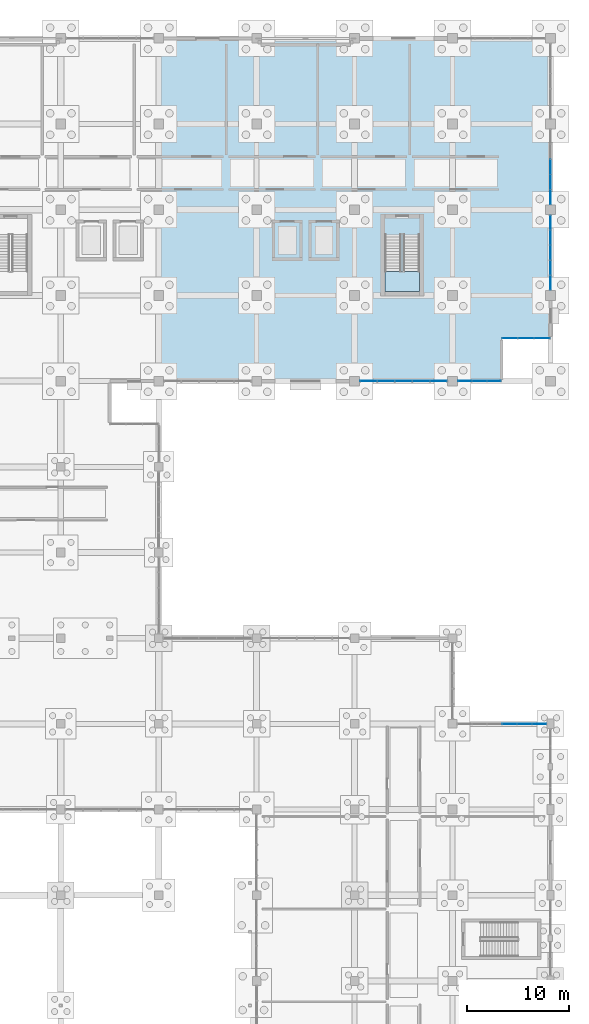
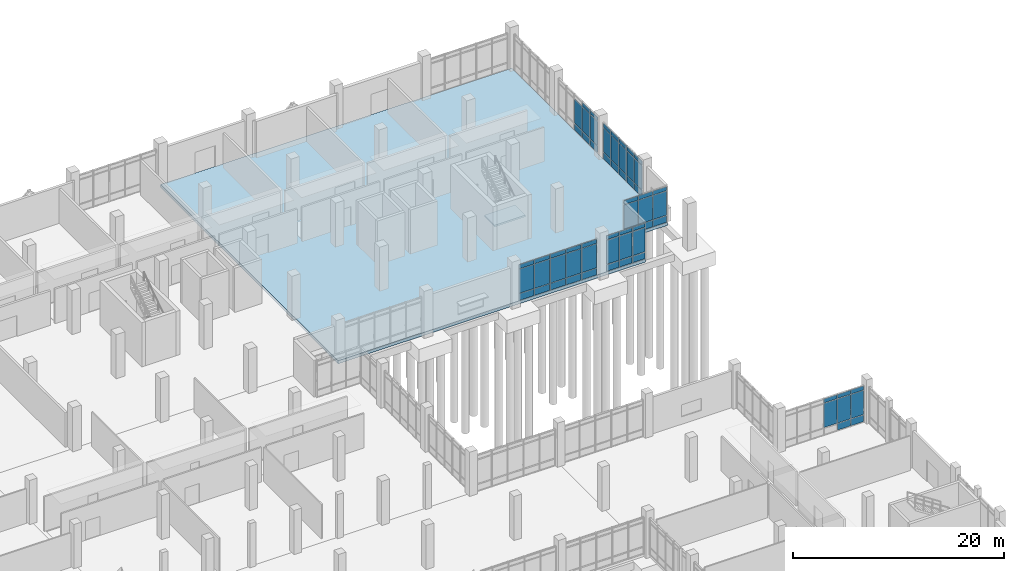
# One storey, part 89 of 136: 64 plates, 2 slabs, 7 elements without a shape of their own.
"""IFC4 building model written with IfcOpenShell, lengths in metres."""

from ifc_helpers import new_model, si_unit, direction, frame, origin, origin_2d, place, context, subcontext, project, spatial, polyline, rectangle, outline, extrude, material, layer, layer_set, type_object, element, aggregate, save


model = new_model("IFC4")

# Units and contexts
model_context = context("Model", 3, precision=1e-05, world=origin(), true_north=direction((0.0, 1.0)))
body_context = subcontext(model_context, "Body", "Model", "MODEL_VIEW")
ifc_project = project(units=[si_unit("LENGTHUNIT", "METRE"), si_unit("AREAUNIT", "SQUARE_METRE"), si_unit("VOLUMEUNIT", "CUBIC_METRE"), si_unit("PLANEANGLEUNIT", "RADIAN"), si_unit("MASSUNIT", "GRAM", prefix="KILO")], contexts=[model_context])

# Site, building, storey
site_placement = place(None, origin())
site = spatial("IfcSite", under=ifc_project, at=site_placement, CompositionType="ELEMENT")
building_placement = place(site_placement, origin())
building = spatial("IfcBuilding", under=site, at=building_placement, Name="Oolite Switchyard Hospital", CompositionType="ELEMENT")
storey_placement = place(building_placement, origin())
storey = spatial("IfcBuildingStorey", under=building, at=storey_placement, Name="L00", CompositionType="ELEMENT", Elevation=0.0)

# Curtain wall, plates
ifc_material_1 = material(Name="Thermally broken aluminum frame with laminated impact glazing", Category="aluminium")
curtain_wall_type_1 = type_object("IfcCurtainWallType", Name="CW-UNIT-96X51", PredefinedType="USERDEFINED", material=ifc_material_1)
curtain_wall_1_placement = place(storey_placement, origin())
curtain_wall_1 = element("IfcCurtainWall", 1, at=curtain_wall_1_placement, inside=storey, type_object=curtain_wall_type_1, Name="L00 Unitised Curtain Wall 38", ObjectType="UNITISED", PredefinedType="USERDEFINED")
ifc_material_2 = material(Name="Insulated fluoropolymer-coated aluminum spandrel panel", Category="aluminium")
ifc_layer_1 = layer(ifc_material_2, 0.054931640625)
ifc_layer_set_1 = layer_set([ifc_layer_1], Name="CW-PNL-SPN55")
plate_type_1 = type_object("IfcPlateType", Name="CW-PNL-SPN55", PredefinedType="CURTAIN_PANEL", material=ifc_layer_set_1)
plate_1_placement = place(storey_placement, frame((200.229248046875, 100.800048828125, 0.06005859375), z_axis=(0.0, 0.0, 1.0), x_axis=(-1.0, 0.0, 0.0)))
plate_1 = element("IfcPlate", 2, at=plate_1_placement, type_object=plate_type_1, Name="CW-01 panel 1.1", PredefinedType="CURTAIN_PANEL", context=body_context, shape_type="SweptSolid", body=[
    extrude(rectangle(XDim=1.611572265625, YDim=0.054931640625, at=origin_2d()), origin(), (0.0, 0.0, 1.0), 0.760009765625),
])
plate_2_placement = place(storey_placement, frame((200.229248046875, 100.800048828125, 0.8798828125), z_axis=(0.0, 0.0, 1.0), x_axis=(-1.0, 0.0, 0.0)))
plate_2 = element("IfcPlate", 3, at=plate_2_placement, type_object=plate_type_1, Name="CW-01 panel 1.2", PredefinedType="CURTAIN_PANEL", context=body_context, shape_type="SweptSolid", body=[
    extrude(rectangle(XDim=1.611572265625, YDim=0.054931640625, at=origin_2d()), origin(), (0.0, 0.0, 1.0), 2.780029296875),
])
plate_3_placement = place(storey_placement, frame((200.229248046875, 100.800048828125, 3.719970703125), z_axis=(0.0, 0.0, 1.0), x_axis=(-1.0, 0.0, 0.0)))
plate_3 = element("IfcPlate", 4, at=plate_3_placement, type_object=plate_type_1, Name="CW-01 panel 1.3", PredefinedType="CURTAIN_PANEL", context=body_context, shape_type="SweptSolid", body=[
    extrude(rectangle(XDim=1.611572265625, YDim=0.054931640625, at=origin_2d()), origin(), (0.0, 0.0, 1.0), 0.4599609375),
])
plate_4_placement = place(storey_placement, frame((198.52392578125, 100.800048828125, 0.06005859375), z_axis=(0.0, 0.0, 1.0), x_axis=(-1.0, 0.0, 0.0)))
plate_4 = element("IfcPlate", 5, at=plate_4_placement, type_object=plate_type_1, Name="CW-01 panel 2.1", PredefinedType="CURTAIN_PANEL", context=body_context, shape_type="SweptSolid", body=[
    extrude(rectangle(XDim=1.64892578125, YDim=0.054931640625, at=origin_2d()), origin(), (0.0, 0.0, 1.0), 0.760009765625),
])
plate_5_placement = place(storey_placement, frame((198.52392578125, 100.800048828125, 0.8798828125), z_axis=(0.0, 0.0, 1.0), x_axis=(-1.0, 0.0, 0.0)))
plate_5 = element("IfcPlate", 6, at=plate_5_placement, type_object=plate_type_1, Name="CW-01 panel 2.2", PredefinedType="CURTAIN_PANEL", context=body_context, shape_type="SweptSolid", body=[
    extrude(rectangle(XDim=1.64892578125, YDim=0.054931640625, at=origin_2d()), origin(), (0.0, 0.0, 1.0), 2.780029296875),
])
plate_6_placement = place(storey_placement, frame((198.52392578125, 100.800048828125, 3.719970703125), z_axis=(0.0, 0.0, 1.0), x_axis=(-1.0, 0.0, 0.0)))
plate_6 = element("IfcPlate", 7, at=plate_6_placement, type_object=plate_type_1, Name="CW-01 panel 2.3", PredefinedType="CURTAIN_PANEL", context=body_context, shape_type="SweptSolid", body=[
    extrude(rectangle(XDim=1.64892578125, YDim=0.054931640625, at=origin_2d()), origin(), (0.0, 0.0, 1.0), 0.4599609375),
])
plate_7_placement = place(storey_placement, frame((196.800048828125, 100.800048828125, 0.06005859375), z_axis=(0.0, 0.0, 1.0), x_axis=(-1.0, 0.0, 0.0)))
plate_7 = element("IfcPlate", 8, at=plate_7_placement, type_object=plate_type_1, Name="CW-01 panel 3.1", PredefinedType="CURTAIN_PANEL", context=body_context, shape_type="SweptSolid", body=[
    extrude(rectangle(XDim=1.64892578125, YDim=0.054931640625, at=origin_2d()), origin(), (0.0, 0.0, 1.0), 0.760009765625),
])
plate_8_placement = place(storey_placement, frame((196.800048828125, 100.800048828125, 0.8798828125), z_axis=(0.0, 0.0, 1.0), x_axis=(-1.0, 0.0, 0.0)))
plate_8 = element("IfcPlate", 9, at=plate_8_placement, type_object=plate_type_1, Name="CW-01 panel 3.2", PredefinedType="CURTAIN_PANEL", context=body_context, shape_type="SweptSolid", body=[
    extrude(rectangle(XDim=1.64892578125, YDim=0.054931640625, at=origin_2d()), origin(), (0.0, 0.0, 1.0), 2.780029296875),
])
plate_9_placement = place(storey_placement, frame((196.800048828125, 100.800048828125, 3.719970703125), z_axis=(0.0, 0.0, 1.0), x_axis=(-1.0, 0.0, 0.0)))
plate_9 = element("IfcPlate", 10, at=plate_9_placement, type_object=plate_type_1, Name="CW-01 panel 3.3", PredefinedType="CURTAIN_PANEL", context=body_context, shape_type="SweptSolid", body=[
    extrude(rectangle(XDim=1.64892578125, YDim=0.054931640625, at=origin_2d()), origin(), (0.0, 0.0, 1.0), 0.4599609375),
])
plate_10_placement = place(storey_placement, frame((195.075927734375, 100.800048828125, 0.06005859375), z_axis=(0.0, 0.0, 1.0), x_axis=(-1.0, 0.0, 0.0)))
plate_10 = element("IfcPlate", 11, at=plate_10_placement, type_object=plate_type_1, Name="CW-01 panel 4.1", PredefinedType="CURTAIN_PANEL", context=body_context, shape_type="SweptSolid", body=[
    extrude(rectangle(XDim=1.64892578125, YDim=0.054931640625, at=origin_2d()), origin(), (0.0, 0.0, 1.0), 0.760009765625),
])
plate_11_placement = place(storey_placement, frame((195.075927734375, 100.800048828125, 0.8798828125), z_axis=(0.0, 0.0, 1.0), x_axis=(-1.0, 0.0, 0.0)))
plate_11 = element("IfcPlate", 12, at=plate_11_placement, type_object=plate_type_1, Name="CW-01 panel 4.2", PredefinedType="CURTAIN_PANEL", context=body_context, shape_type="SweptSolid", body=[
    extrude(rectangle(XDim=1.64892578125, YDim=0.054931640625, at=origin_2d()), origin(), (0.0, 0.0, 1.0), 2.780029296875),
])
plate_12_placement = place(storey_placement, frame((195.075927734375, 100.800048828125, 3.719970703125), z_axis=(0.0, 0.0, 1.0), x_axis=(-1.0, 0.0, 0.0)))
plate_12 = element("IfcPlate", 13, at=plate_12_placement, type_object=plate_type_1, Name="CW-01 panel 4.3", PredefinedType="CURTAIN_PANEL", context=body_context, shape_type="SweptSolid", body=[
    extrude(rectangle(XDim=1.64892578125, YDim=0.054931640625, at=origin_2d()), origin(), (0.0, 0.0, 1.0), 0.4599609375),
])
plate_13_placement = place(storey_placement, frame((193.370849609375, 100.800048828125, 0.06005859375), z_axis=(0.0, 0.0, 1.0), x_axis=(-1.0, 0.0, 0.0)))
plate_13 = element("IfcPlate", 14, at=plate_13_placement, type_object=plate_type_1, Name="CW-01 panel 5.1", PredefinedType="CURTAIN_PANEL", context=body_context, shape_type="SweptSolid", body=[
    extrude(rectangle(XDim=1.611572265625, YDim=0.054931640625, at=origin_2d()), origin(), (0.0, 0.0, 1.0), 0.760009765625),
])
plate_14_placement = place(storey_placement, frame((193.370849609375, 100.800048828125, 0.8798828125), z_axis=(0.0, 0.0, 1.0), x_axis=(-1.0, 0.0, 0.0)))
plate_14 = element("IfcPlate", 15, at=plate_14_placement, type_object=plate_type_1, Name="CW-01 panel 5.2", PredefinedType="CURTAIN_PANEL", context=body_context, shape_type="SweptSolid", body=[
    extrude(rectangle(XDim=1.611572265625, YDim=0.054931640625, at=origin_2d()), origin(), (0.0, 0.0, 1.0), 2.780029296875),
])
plate_15_placement = place(storey_placement, frame((193.370849609375, 100.800048828125, 3.719970703125), z_axis=(0.0, 0.0, 1.0), x_axis=(-1.0, 0.0, 0.0)))
plate_15 = element("IfcPlate", 16, at=plate_15_placement, type_object=plate_type_1, Name="CW-01 panel 5.3", PredefinedType="CURTAIN_PANEL", context=body_context, shape_type="SweptSolid", body=[
    extrude(rectangle(XDim=1.611572265625, YDim=0.054931640625, at=origin_2d()), origin(), (0.0, 0.0, 1.0), 0.4599609375),
])
aggregate(curtain_wall_1, [plate_1, plate_2, plate_3, plate_4, plate_5, plate_6, plate_7, plate_8, plate_9, plate_10, plate_11, plate_12, plate_13, plate_14, plate_15])

curtain_wall_type_2 = type_object("IfcCurtainWallType", Name="CW-UNIT-84X51", PredefinedType="USERDEFINED", material=ifc_material_1)
curtain_wall_2_placement = place(storey_placement, origin())
curtain_wall_2 = element("IfcCurtainWall", 17, at=curtain_wall_2_placement, inside=storey, type_object=curtain_wall_type_2, Name="L00 Unitised Curtain Wall 92", ObjectType="UNITISED", PredefinedType="USERDEFINED")
plate_16_placement = place(storey_placement, frame((211.199951171875, 116.349365234375, 0.06005859375), z_axis=(0.0, 0.0, 1.0), x_axis=(0.0, -1.0, 0.0)))
plate_16 = element("IfcPlate", 18, at=plate_16_placement, type_object=plate_type_1, Name="CW-06 panel 1.1", PredefinedType="CURTAIN_PANEL", context=body_context, shape_type="SweptSolid", body=[
    extrude(rectangle(XDim=1.37158203125, YDim=0.054931640625, at=origin_2d()), origin(), (0.0, 0.0, 1.0), 0.760009765625),
])
plate_17_placement = place(storey_placement, frame((211.199951171875, 116.349365234375, 0.8798828125), z_axis=(0.0, 0.0, 1.0), x_axis=(0.0, -1.0, 0.0)))
plate_17 = element("IfcPlate", 19, at=plate_17_placement, type_object=plate_type_1, Name="CW-06 panel 1.2", PredefinedType="CURTAIN_PANEL", context=body_context, shape_type="SweptSolid", body=[
    extrude(rectangle(XDim=1.37158203125, YDim=0.054931640625, at=origin_2d()), origin(), (0.0, 0.0, 1.0), 2.780029296875),
])
plate_18_placement = place(storey_placement, frame((211.199951171875, 116.349365234375, 3.719970703125), z_axis=(0.0, 0.0, 1.0), x_axis=(0.0, -1.0, 0.0)))
plate_18 = element("IfcPlate", 20, at=plate_18_placement, type_object=plate_type_1, Name="CW-06 panel 1.3", PredefinedType="CURTAIN_PANEL", context=body_context, shape_type="SweptSolid", body=[
    extrude(rectangle(XDim=1.37158203125, YDim=0.054931640625, at=origin_2d()), origin(), (0.0, 0.0, 1.0), 0.4599609375),
])
plate_19_placement = place(storey_placement, frame((211.199951171875, 114.884033203125, 0.06005859375), z_axis=(0.0, 0.0, 1.0), x_axis=(0.0, -1.0, 0.0)))
plate_19 = element("IfcPlate", 21, at=plate_19_placement, type_object=plate_type_1, Name="CW-06 panel 2.1", PredefinedType="CURTAIN_PANEL", context=body_context, shape_type="SweptSolid", body=[
    extrude(rectangle(XDim=1.408935546875, YDim=0.054931640625, at=origin_2d()), origin(), (0.0, 0.0, 1.0), 0.760009765625),
])
plate_20_placement = place(storey_placement, frame((211.199951171875, 114.884033203125, 0.8798828125), z_axis=(0.0, 0.0, 1.0), x_axis=(0.0, -1.0, 0.0)))
plate_20 = element("IfcPlate", 22, at=plate_20_placement, type_object=plate_type_1, Name="CW-06 panel 2.2", PredefinedType="CURTAIN_PANEL", context=body_context, shape_type="SweptSolid", body=[
    extrude(rectangle(XDim=1.408935546875, YDim=0.054931640625, at=origin_2d()), origin(), (0.0, 0.0, 1.0), 2.780029296875),
])
plate_21_placement = place(storey_placement, frame((211.199951171875, 114.884033203125, 3.719970703125), z_axis=(0.0, 0.0, 1.0), x_axis=(0.0, -1.0, 0.0)))
plate_21 = element("IfcPlate", 23, at=plate_21_placement, type_object=plate_type_1, Name="CW-06 panel 2.3", PredefinedType="CURTAIN_PANEL", context=body_context, shape_type="SweptSolid", body=[
    extrude(rectangle(XDim=1.408935546875, YDim=0.054931640625, at=origin_2d()), origin(), (0.0, 0.0, 1.0), 0.4599609375),
])
plate_22_placement = place(storey_placement, frame((211.199951171875, 113.39990234375, 0.06005859375), z_axis=(0.0, 0.0, 1.0), x_axis=(0.0, -1.0, 0.0)))
plate_22 = element("IfcPlate", 24, at=plate_22_placement, type_object=plate_type_1, Name="CW-06 panel 3.1", PredefinedType="CURTAIN_PANEL", context=body_context, shape_type="SweptSolid", body=[
    extrude(rectangle(XDim=1.408935546875, YDim=0.054931640625, at=origin_2d()), origin(), (0.0, 0.0, 1.0), 0.760009765625),
])
plate_23_placement = place(storey_placement, frame((211.199951171875, 113.39990234375, 0.8798828125), z_axis=(0.0, 0.0, 1.0), x_axis=(0.0, -1.0, 0.0)))
plate_23 = element("IfcPlate", 25, at=plate_23_placement, type_object=plate_type_1, Name="CW-06 panel 3.2", PredefinedType="CURTAIN_PANEL", context=body_context, shape_type="SweptSolid", body=[
    extrude(rectangle(XDim=1.408935546875, YDim=0.054931640625, at=origin_2d()), origin(), (0.0, 0.0, 1.0), 2.780029296875),
])
plate_24_placement = place(storey_placement, frame((211.199951171875, 113.39990234375, 3.719970703125), z_axis=(0.0, 0.0, 1.0), x_axis=(0.0, -1.0, 0.0)))
plate_24 = element("IfcPlate", 26, at=plate_24_placement, type_object=plate_type_1, Name="CW-06 panel 3.3", PredefinedType="CURTAIN_PANEL", context=body_context, shape_type="SweptSolid", body=[
    extrude(rectangle(XDim=1.408935546875, YDim=0.054931640625, at=origin_2d()), origin(), (0.0, 0.0, 1.0), 0.4599609375),
])
plate_25_placement = place(storey_placement, frame((211.199951171875, 111.916015625, 0.06005859375), z_axis=(0.0, 0.0, 1.0), x_axis=(0.0, -1.0, 0.0)))
plate_25 = element("IfcPlate", 27, at=plate_25_placement, type_object=plate_type_1, Name="CW-06 panel 4.1", PredefinedType="CURTAIN_PANEL", context=body_context, shape_type="SweptSolid", body=[
    extrude(rectangle(XDim=1.408935546875, YDim=0.054931640625, at=origin_2d()), origin(), (0.0, 0.0, 1.0), 0.760009765625),
])
plate_26_placement = place(storey_placement, frame((211.199951171875, 111.916015625, 0.8798828125), z_axis=(0.0, 0.0, 1.0), x_axis=(0.0, -1.0, 0.0)))
plate_26 = element("IfcPlate", 28, at=plate_26_placement, type_object=plate_type_1, Name="CW-06 panel 4.2", PredefinedType="CURTAIN_PANEL", context=body_context, shape_type="SweptSolid", body=[
    extrude(rectangle(XDim=1.408935546875, YDim=0.054931640625, at=origin_2d()), origin(), (0.0, 0.0, 1.0), 2.780029296875),
])
plate_27_placement = place(storey_placement, frame((211.199951171875, 111.916015625, 3.719970703125), z_axis=(0.0, 0.0, 1.0), x_axis=(0.0, -1.0, 0.0)))
plate_27 = element("IfcPlate", 29, at=plate_27_placement, type_object=plate_type_1, Name="CW-06 panel 4.3", PredefinedType="CURTAIN_PANEL", context=body_context, shape_type="SweptSolid", body=[
    extrude(rectangle(XDim=1.408935546875, YDim=0.054931640625, at=origin_2d()), origin(), (0.0, 0.0, 1.0), 0.4599609375),
])
plate_28_placement = place(storey_placement, frame((211.199951171875, 110.45068359375, 0.06005859375), z_axis=(0.0, 0.0, 1.0), x_axis=(0.0, -1.0, 0.0)))
plate_28 = element("IfcPlate", 30, at=plate_28_placement, type_object=plate_type_1, Name="CW-06 panel 5.1", PredefinedType="CURTAIN_PANEL", context=body_context, shape_type="SweptSolid", body=[
    extrude(rectangle(XDim=1.37158203125, YDim=0.054931640625, at=origin_2d()), origin(), (0.0, 0.0, 1.0), 0.760009765625),
])
plate_29_placement = place(storey_placement, frame((211.199951171875, 110.45068359375, 0.8798828125), z_axis=(0.0, 0.0, 1.0), x_axis=(0.0, -1.0, 0.0)))
plate_29 = element("IfcPlate", 31, at=plate_29_placement, type_object=plate_type_1, Name="CW-06 panel 5.2", PredefinedType="CURTAIN_PANEL", context=body_context, shape_type="SweptSolid", body=[
    extrude(rectangle(XDim=1.37158203125, YDim=0.054931640625, at=origin_2d()), origin(), (0.0, 0.0, 1.0), 2.780029296875),
])
plate_30_placement = place(storey_placement, frame((211.199951171875, 110.45068359375, 3.719970703125), z_axis=(0.0, 0.0, 1.0), x_axis=(0.0, -1.0, 0.0)))
plate_30 = element("IfcPlate", 32, at=plate_30_placement, type_object=plate_type_1, Name="CW-06 panel 5.3", PredefinedType="CURTAIN_PANEL", context=body_context, shape_type="SweptSolid", body=[
    extrude(rectangle(XDim=1.37158203125, YDim=0.054931640625, at=origin_2d()), origin(), (0.0, 0.0, 1.0), 0.4599609375),
])
aggregate(curtain_wall_2, [plate_16, plate_17, plate_18, plate_19, plate_20, plate_21, plate_22, plate_23, plate_24, plate_25, plate_26, plate_27, plate_28, plate_29, plate_30])

curtain_wall_3_placement = place(storey_placement, origin())
curtain_wall_3 = element("IfcCurtainWall", 33, at=curtain_wall_3_placement, inside=storey, type_object=curtain_wall_type_2, Name="L00 Unitised Curtain Wall 39", ObjectType="UNITISED", PredefinedType="USERDEFINED")
ifc_material_3 = material(Name="Laminated hurricane-impact insulated glazing unit", Category="glass")
ifc_layer_2 = layer(ifc_material_3, 0.028076171875)
ifc_layer_set_2 = layer_set([ifc_layer_2], Name="CW-PNL-VIS28")
plate_type_2 = type_object("IfcPlateType", Name="CW-PNL-VIS28", PredefinedType="CURTAIN_PANEL", material=ifc_layer_set_2)
plate_31_placement = place(storey_placement, frame((205.666748046875, 100.800048828125, 0.0751953125), z_axis=(0.0, 0.0, 1.0), x_axis=(-1.0, 0.0, 0.0)))
plate_31 = element("IfcPlate", 34, at=plate_31_placement, type_object=plate_type_2, Name="CW-06 panel 1.1", PredefinedType="CURTAIN_PANEL", context=body_context, shape_type="SweptSolid", body=[
    extrude(rectangle(XDim=1.3466796875, YDim=0.028076171875, at=origin_2d()), origin(), (0.0, 0.0, 1.0), 0.737548828125),
])
plate_32_placement = place(storey_placement, frame((205.666748046875, 100.800048828125, 0.8876953125), z_axis=(0.0, 0.0, 1.0), x_axis=(-1.0, 0.0, 0.0)))
plate_32 = element("IfcPlate", 35, at=plate_32_placement, type_object=plate_type_2, Name="CW-06 panel 1.2", PredefinedType="CURTAIN_PANEL", context=body_context, shape_type="SweptSolid", body=[
    extrude(rectangle(XDim=1.3466796875, YDim=0.028076171875, at=origin_2d()), origin(), (0.0, 0.0, 1.0), 2.764892578125),
])
plate_33_placement = place(storey_placement, frame((205.666748046875, 100.800048828125, 3.7275390625), z_axis=(0.0, 0.0, 1.0), x_axis=(-1.0, 0.0, 0.0)))
plate_33 = element("IfcPlate", 36, at=plate_33_placement, type_object=plate_type_2, Name="CW-06 panel 1.3", PredefinedType="CURTAIN_PANEL", context=body_context, shape_type="SweptSolid", body=[
    extrude(rectangle(XDim=1.3466796875, YDim=0.028076171875, at=origin_2d()), origin(), (0.0, 0.0, 1.0), 0.4375),
])
plate_34_placement = place(storey_placement, frame((204.2451171875, 100.800048828125, 0.0751953125), z_axis=(0.0, 0.0, 1.0), x_axis=(-1.0, 0.0, 0.0)))
plate_34 = element("IfcPlate", 37, at=plate_34_placement, type_object=plate_type_2, Name="CW-06 panel 2.1", PredefinedType="CURTAIN_PANEL", context=body_context, shape_type="SweptSolid", body=[
    extrude(rectangle(XDim=1.376708984375, YDim=0.028076171875, at=origin_2d()), origin(), (0.0, 0.0, 1.0), 0.737548828125),
])
plate_35_placement = place(storey_placement, frame((204.2451171875, 100.800048828125, 0.8876953125), z_axis=(0.0, 0.0, 1.0), x_axis=(-1.0, 0.0, 0.0)))
plate_35 = element("IfcPlate", 38, at=plate_35_placement, type_object=plate_type_2, Name="CW-06 panel 2.2", PredefinedType="CURTAIN_PANEL", context=body_context, shape_type="SweptSolid", body=[
    extrude(rectangle(XDim=1.376708984375, YDim=0.028076171875, at=origin_2d()), origin(), (0.0, 0.0, 1.0), 2.764892578125),
])
plate_36_placement = place(storey_placement, frame((204.2451171875, 100.800048828125, 3.7275390625), z_axis=(0.0, 0.0, 1.0), x_axis=(-1.0, 0.0, 0.0)))
plate_36 = element("IfcPlate", 39, at=plate_36_placement, type_object=plate_type_2, Name="CW-06 panel 2.3", PredefinedType="CURTAIN_PANEL", context=body_context, shape_type="SweptSolid", body=[
    extrude(rectangle(XDim=1.376708984375, YDim=0.028076171875, at=origin_2d()), origin(), (0.0, 0.0, 1.0), 0.4375),
])
plate_37_placement = place(storey_placement, frame((202.8232421875, 100.800048828125, 0.0751953125), z_axis=(0.0, 0.0, 1.0), x_axis=(-1.0, 0.0, 0.0)))
plate_37 = element("IfcPlate", 40, at=plate_37_placement, type_object=plate_type_2, Name="CW-06 panel 3.1", PredefinedType="CURTAIN_PANEL", context=body_context, shape_type="SweptSolid", body=[
    extrude(rectangle(XDim=1.3466796875, YDim=0.028076171875, at=origin_2d()), origin(), (0.0, 0.0, 1.0), 0.737548828125),
])
plate_38_placement = place(storey_placement, frame((202.8232421875, 100.800048828125, 0.8876953125), z_axis=(0.0, 0.0, 1.0), x_axis=(-1.0, 0.0, 0.0)))
plate_38 = element("IfcPlate", 41, at=plate_38_placement, type_object=plate_type_2, Name="CW-06 panel 3.2", PredefinedType="CURTAIN_PANEL", context=body_context, shape_type="SweptSolid", body=[
    extrude(rectangle(XDim=1.3466796875, YDim=0.028076171875, at=origin_2d()), origin(), (0.0, 0.0, 1.0), 2.764892578125),
])
plate_39_placement = place(storey_placement, frame((202.8232421875, 100.800048828125, 3.7275390625), z_axis=(0.0, 0.0, 1.0), x_axis=(-1.0, 0.0, 0.0)))
plate_39 = element("IfcPlate", 42, at=plate_39_placement, type_object=plate_type_2, Name="CW-06 panel 3.3", PredefinedType="CURTAIN_PANEL", context=body_context, shape_type="SweptSolid", body=[
    extrude(rectangle(XDim=1.3466796875, YDim=0.028076171875, at=origin_2d()), origin(), (0.0, 0.0, 1.0), 0.4375),
])
aggregate(curtain_wall_3, [plate_31, plate_32, plate_33, plate_34, plate_35, plate_36, plate_37, plate_38, plate_39])

curtain_wall_4_placement = place(storey_placement, origin())
curtain_wall_4 = element("IfcCurtainWall", 43, at=curtain_wall_4_placement, inside=storey, type_object=curtain_wall_type_2, Name="L00 Unitised Curtain Wall 93", ObjectType="UNITISED", PredefinedType="USERDEFINED")
plate_40_placement = place(storey_placement, frame((211.199951171875, 121.800048828125, 0.0751953125), z_axis=(0.0, 0.0, 1.0), x_axis=(0.0, -1.0, 0.0)))
plate_40 = element("IfcPlate", 44, at=plate_40_placement, type_object=plate_type_2, Name="CW-06 panel 3.1", PredefinedType="CURTAIN_PANEL", context=body_context, shape_type="SweptSolid", body=[
    extrude(rectangle(XDim=1.424072265625, YDim=0.028076171875, at=origin_2d()), origin(), (0.0, 0.0, 1.0), 0.737548828125),
])
plate_41_placement = place(storey_placement, frame((211.199951171875, 121.800048828125, 0.8876953125), z_axis=(0.0, 0.0, 1.0), x_axis=(0.0, -1.0, 0.0)))
plate_41 = element("IfcPlate", 45, at=plate_41_placement, type_object=plate_type_2, Name="CW-06 panel 3.2", PredefinedType="CURTAIN_PANEL", context=body_context, shape_type="SweptSolid", body=[
    extrude(rectangle(XDim=1.424072265625, YDim=0.028076171875, at=origin_2d()), origin(), (0.0, 0.0, 1.0), 2.764892578125),
])
plate_42_placement = place(storey_placement, frame((211.199951171875, 120.31591796875, 0.0751953125), z_axis=(0.0, 0.0, 1.0), x_axis=(0.0, -1.0, 0.0)))
plate_42 = element("IfcPlate", 46, at=plate_42_placement, type_object=plate_type_2, Name="CW-06 panel 4.1", PredefinedType="CURTAIN_PANEL", context=body_context, shape_type="SweptSolid", body=[
    extrude(rectangle(XDim=1.424072265625, YDim=0.028076171875, at=origin_2d()), origin(), (0.0, 0.0, 1.0), 0.737548828125),
])
plate_43_placement = place(storey_placement, frame((211.199951171875, 120.31591796875, 0.8876953125), z_axis=(0.0, 0.0, 1.0), x_axis=(0.0, -1.0, 0.0)))
plate_43 = element("IfcPlate", 47, at=plate_43_placement, type_object=plate_type_2, Name="CW-06 panel 4.2", PredefinedType="CURTAIN_PANEL", context=body_context, shape_type="SweptSolid", body=[
    extrude(rectangle(XDim=1.424072265625, YDim=0.028076171875, at=origin_2d()), origin(), (0.0, 0.0, 1.0), 2.764892578125),
])
plate_44_placement = place(storey_placement, frame((211.199951171875, 120.31591796875, 3.7275390625), z_axis=(0.0, 0.0, 1.0), x_axis=(0.0, -1.0, 0.0)))
plate_44 = element("IfcPlate", 48, at=plate_44_placement, type_object=plate_type_2, Name="CW-06 panel 4.3", PredefinedType="CURTAIN_PANEL", context=body_context, shape_type="SweptSolid", body=[
    extrude(rectangle(XDim=1.424072265625, YDim=0.028076171875, at=origin_2d()), origin(), (0.0, 0.0, 1.0), 0.4375),
])
plate_45_placement = place(storey_placement, frame((211.199951171875, 118.846923828125, 0.0751953125), z_axis=(0.0, 0.0, 1.0), x_axis=(0.0, -1.0, 0.0)))
plate_45 = element("IfcPlate", 49, at=plate_45_placement, type_object=plate_type_2, Name="CW-06 panel 5.1", PredefinedType="CURTAIN_PANEL", context=body_context, shape_type="SweptSolid", body=[
    extrude(rectangle(XDim=1.39404296875, YDim=0.028076171875, at=origin_2d()), origin(), (0.0, 0.0, 1.0), 0.737548828125),
])
plate_46_placement = place(storey_placement, frame((211.199951171875, 118.846923828125, 0.8876953125), z_axis=(0.0, 0.0, 1.0), x_axis=(0.0, -1.0, 0.0)))
plate_46 = element("IfcPlate", 50, at=plate_46_placement, type_object=plate_type_2, Name="CW-06 panel 5.2", PredefinedType="CURTAIN_PANEL", context=body_context, shape_type="SweptSolid", body=[
    extrude(rectangle(XDim=1.39404296875, YDim=0.028076171875, at=origin_2d()), origin(), (0.0, 0.0, 1.0), 2.764892578125),
])
plate_47_placement = place(storey_placement, frame((211.199951171875, 118.846923828125, 3.7275390625), z_axis=(0.0, 0.0, 1.0), x_axis=(0.0, -1.0, 0.0)))
plate_47 = element("IfcPlate", 51, at=plate_47_placement, type_object=plate_type_2, Name="CW-06 panel 5.3", PredefinedType="CURTAIN_PANEL", context=body_context, shape_type="SweptSolid", body=[
    extrude(rectangle(XDim=1.39404296875, YDim=0.028076171875, at=origin_2d()), origin(), (0.0, 0.0, 1.0), 0.4375),
])
aggregate(curtain_wall_4, [plate_40, plate_41, plate_42, plate_43, plate_44, plate_45, plate_46, plate_47])

curtain_wall_5_placement = place(storey_placement, origin())
curtain_wall_5 = element("IfcCurtainWall", 52, at=curtain_wall_5_placement, inside=storey, type_object=curtain_wall_type_1, Name="L00 Unitised Curtain Wall 24", ObjectType="UNITISED", PredefinedType="USERDEFINED")
ifc_layer_3 = layer(ifc_material_3, 0.035888671875)
ifc_layer_set_3 = layer_set([ifc_layer_3], Name="CW-PNL-VIS36")
plate_type_3 = type_object("IfcPlateType", Name="CW-PNL-VIS36", PredefinedType="CURTAIN_PANEL", material=ifc_layer_set_3)
plate_48_placement = place(storey_placement, frame((207.18505859375, 67.199951171875, 0.8798828125), z_axis=(0.0, 0.0, 1.0), x_axis=(1.0, 0.0, 0.0)))
plate_48 = element("IfcPlate", 53, at=plate_48_placement, type_object=plate_type_3, Name="CW-01 panel 4.2", PredefinedType="CURTAIN_PANEL", context=body_context, shape_type="SweptSolid", body=[
    extrude(rectangle(XDim=1.409912109375, YDim=0.035888671875, at=origin_2d()), origin(), (0.0, 0.0, 1.0), 2.780029296875),
])
plate_49_placement = place(storey_placement, frame((207.18505859375, 67.199951171875, 3.719970703125), z_axis=(0.0, 0.0, 1.0), x_axis=(1.0, 0.0, 0.0)))
plate_49 = element("IfcPlate", 54, at=plate_49_placement, type_object=plate_type_3, Name="CW-01 panel 4.3", PredefinedType="CURTAIN_PANEL", context=body_context, shape_type="SweptSolid", body=[
    extrude(rectangle(XDim=1.409912109375, YDim=0.035888671875, at=origin_2d()), origin(), (0.0, 0.0, 1.0), 0.4599609375),
])
plate_50_placement = place(storey_placement, frame((208.655029296875, 67.199951171875, 0.06005859375), z_axis=(0.0, 0.0, 1.0), x_axis=(1.0, 0.0, 0.0)))
plate_50 = element("IfcPlate", 55, at=plate_50_placement, type_object=plate_type_3, Name="CW-01 panel 5.1", PredefinedType="CURTAIN_PANEL", context=body_context, shape_type="SweptSolid", body=[
    extrude(rectangle(XDim=1.409912109375, YDim=0.035888671875, at=origin_2d()), origin(), (0.0, 0.0, 1.0), 0.760009765625),
])
plate_51_placement = place(storey_placement, frame((208.655029296875, 67.199951171875, 0.8798828125), z_axis=(0.0, 0.0, 1.0), x_axis=(1.0, 0.0, 0.0)))
plate_51 = element("IfcPlate", 56, at=plate_51_placement, type_object=plate_type_3, Name="CW-01 panel 5.2", PredefinedType="CURTAIN_PANEL", context=body_context, shape_type="SweptSolid", body=[
    extrude(rectangle(XDim=1.409912109375, YDim=0.035888671875, at=origin_2d()), origin(), (0.0, 0.0, 1.0), 2.780029296875),
])
plate_52_placement = place(storey_placement, frame((208.655029296875, 67.199951171875, 3.719970703125), z_axis=(0.0, 0.0, 1.0), x_axis=(1.0, 0.0, 0.0)))
plate_52 = element("IfcPlate", 57, at=plate_52_placement, type_object=plate_type_3, Name="CW-01 panel 5.3", PredefinedType="CURTAIN_PANEL", context=body_context, shape_type="SweptSolid", body=[
    extrude(rectangle(XDim=1.409912109375, YDim=0.035888671875, at=origin_2d()), origin(), (0.0, 0.0, 1.0), 0.4599609375),
])
plate_53_placement = place(storey_placement, frame((210.110107421875, 67.199951171875, 0.06005859375), z_axis=(0.0, 0.0, 1.0), x_axis=(1.0, 0.0, 0.0)))
plate_53 = element("IfcPlate", 58, at=plate_53_placement, type_object=plate_type_3, Name="CW-01 panel 6.1", PredefinedType="CURTAIN_PANEL", context=body_context, shape_type="SweptSolid", body=[
    extrude(rectangle(XDim=1.3798828125, YDim=0.035888671875, at=origin_2d()), origin(), (0.0, 0.0, 1.0), 0.760009765625),
])
plate_54_placement = place(storey_placement, frame((210.110107421875, 67.199951171875, 0.8798828125), z_axis=(0.0, 0.0, 1.0), x_axis=(1.0, 0.0, 0.0)))
plate_54 = element("IfcPlate", 59, at=plate_54_placement, type_object=plate_type_3, Name="CW-01 panel 6.2", PredefinedType="CURTAIN_PANEL", context=body_context, shape_type="SweptSolid", body=[
    extrude(rectangle(XDim=1.3798828125, YDim=0.035888671875, at=origin_2d()), origin(), (0.0, 0.0, 1.0), 2.780029296875),
])
plate_55_placement = place(storey_placement, frame((210.110107421875, 67.199951171875, 3.719970703125), z_axis=(0.0, 0.0, 1.0), x_axis=(1.0, 0.0, 0.0)))
plate_55 = element("IfcPlate", 60, at=plate_55_placement, type_object=plate_type_3, Name="CW-01 panel 6.3", PredefinedType="CURTAIN_PANEL", context=body_context, shape_type="SweptSolid", body=[
    extrude(rectangle(XDim=1.3798828125, YDim=0.035888671875, at=origin_2d()), origin(), (0.0, 0.0, 1.0), 0.4599609375),
])
aggregate(curtain_wall_5, [plate_48, plate_49, plate_50, plate_51, plate_52, plate_53, plate_54, plate_55])

curtain_wall_6_placement = place(storey_placement, origin())
curtain_wall_6 = element("IfcCurtainWall", 61, at=curtain_wall_6_placement, inside=storey, type_object=curtain_wall_type_2, Name="L00 Unitised Curtain Wall 40", ObjectType="UNITISED", PredefinedType="USERDEFINED")
plate_56_placement = place(storey_placement, frame((210.382568359375, 105.0, 0.06005859375), z_axis=(0.0, 0.0, 1.0), x_axis=(-1.0, 0.0, 0.0)))
plate_56 = element("IfcPlate", 62, at=plate_56_placement, type_object=plate_type_3, Name="CW-06 panel 1.1", PredefinedType="CURTAIN_PANEL", context=body_context, shape_type="SweptSolid", body=[
    extrude(rectangle(XDim=1.4951171875, YDim=0.035888671875, at=origin_2d()), origin(), (0.0, 0.0, 1.0), 0.760009765625),
])
plate_57_placement = place(storey_placement, frame((210.382568359375, 105.0, 0.8798828125), z_axis=(0.0, 0.0, 1.0), x_axis=(-1.0, 0.0, 0.0)))
plate_57 = element("IfcPlate", 63, at=plate_57_placement, type_object=plate_type_3, Name="CW-06 panel 1.2", PredefinedType="CURTAIN_PANEL", context=body_context, shape_type="SweptSolid", body=[
    extrude(rectangle(XDim=1.4951171875, YDim=0.035888671875, at=origin_2d()), origin(), (0.0, 0.0, 1.0), 2.780029296875),
])
plate_58_placement = place(storey_placement, frame((210.382568359375, 105.0, 3.719970703125), z_axis=(0.0, 0.0, 1.0), x_axis=(-1.0, 0.0, 0.0)))
plate_58 = element("IfcPlate", 64, at=plate_58_placement, type_object=plate_type_3, Name="CW-06 panel 1.3", PredefinedType="CURTAIN_PANEL", context=body_context, shape_type="SweptSolid", body=[
    extrude(rectangle(XDim=1.4951171875, YDim=0.035888671875, at=origin_2d()), origin(), (0.0, 0.0, 1.0), 0.4599609375),
])
plate_59_placement = place(storey_placement, frame((208.800048828125, 105.0, 0.06005859375), z_axis=(0.0, 0.0, 1.0), x_axis=(-1.0, 0.0, 0.0)))
plate_59 = element("IfcPlate", 65, at=plate_59_placement, type_object=plate_type_3, Name="CW-06 panel 2.1", PredefinedType="CURTAIN_PANEL", context=body_context, shape_type="SweptSolid", body=[
    extrude(rectangle(XDim=1.530029296875, YDim=0.035888671875, at=origin_2d()), origin(), (0.0, 0.0, 1.0), 0.760009765625),
])
plate_60_placement = place(storey_placement, frame((208.800048828125, 105.0, 0.8798828125), z_axis=(0.0, 0.0, 1.0), x_axis=(-1.0, 0.0, 0.0)))
plate_60 = element("IfcPlate", 66, at=plate_60_placement, type_object=plate_type_3, Name="CW-06 panel 2.2", PredefinedType="CURTAIN_PANEL", context=body_context, shape_type="SweptSolid", body=[
    extrude(rectangle(XDim=1.530029296875, YDim=0.035888671875, at=origin_2d()), origin(), (0.0, 0.0, 1.0), 2.780029296875),
])
plate_61_placement = place(storey_placement, frame((208.800048828125, 105.0, 3.719970703125), z_axis=(0.0, 0.0, 1.0), x_axis=(-1.0, 0.0, 0.0)))
plate_61 = element("IfcPlate", 67, at=plate_61_placement, type_object=plate_type_3, Name="CW-06 panel 2.3", PredefinedType="CURTAIN_PANEL", context=body_context, shape_type="SweptSolid", body=[
    extrude(rectangle(XDim=1.530029296875, YDim=0.035888671875, at=origin_2d()), origin(), (0.0, 0.0, 1.0), 0.4599609375),
])
plate_62_placement = place(storey_placement, frame((207.217529296875, 105.0, 0.06005859375), z_axis=(0.0, 0.0, 1.0), x_axis=(-1.0, 0.0, 0.0)))
plate_62 = element("IfcPlate", 68, at=plate_62_placement, type_object=plate_type_3, Name="CW-06 panel 3.1", PredefinedType="CURTAIN_PANEL", context=body_context, shape_type="SweptSolid", body=[
    extrude(rectangle(XDim=1.4951171875, YDim=0.035888671875, at=origin_2d()), origin(), (0.0, 0.0, 1.0), 0.760009765625),
])
plate_63_placement = place(storey_placement, frame((207.217529296875, 105.0, 0.8798828125), z_axis=(0.0, 0.0, 1.0), x_axis=(-1.0, 0.0, 0.0)))
plate_63 = element("IfcPlate", 69, at=plate_63_placement, type_object=plate_type_3, Name="CW-06 panel 3.2", PredefinedType="CURTAIN_PANEL", context=body_context, shape_type="SweptSolid", body=[
    extrude(rectangle(XDim=1.4951171875, YDim=0.035888671875, at=origin_2d()), origin(), (0.0, 0.0, 1.0), 2.780029296875),
])
plate_64_placement = place(storey_placement, frame((207.217529296875, 105.0, 3.719970703125), z_axis=(0.0, 0.0, 1.0), x_axis=(-1.0, 0.0, 0.0)))
plate_64 = element("IfcPlate", 70, at=plate_64_placement, type_object=plate_type_3, Name="CW-06 panel 3.3", PredefinedType="CURTAIN_PANEL", context=body_context, shape_type="SweptSolid", body=[
    extrude(rectangle(XDim=1.4951171875, YDim=0.035888671875, at=origin_2d()), origin(), (0.0, 0.0, 1.0), 0.4599609375),
])
aggregate(curtain_wall_6, [plate_56, plate_57, plate_58, plate_59, plate_60, plate_61, plate_62, plate_63, plate_64])

# Slab
ifc_material_4 = material(Name="Concrete C40/50", Category="concrete")
ifc_layer_4 = layer(ifc_material_4, 0.35009765625)
ifc_layer_set_4 = layer_set([ifc_layer_4], Name="SLB-BASE-350")
slab_type_1 = type_object("IfcSlabType", Name="SLB-BASE-350", PredefinedType="BASESLAB", material=ifc_layer_set_4)
slab_1_placement = place(storey_placement, frame((0.0, 0.0, -0.35009765625)))
element("IfcSlab", 71, at=slab_1_placement, inside=storey, type_object=slab_type_1, Name="L00 V5E Slab V5E2", PredefinedType="BASESLAB", context=body_context, shape_type="SweptSolid", body=[
    extrude(outline(polyline([(172.800048828125, 100.800048828125), (206.39990234375, 100.800048828125), (206.39990234375, 105.0), (211.199951171875, 105.0), (211.199951171875, 134.39990234375), (172.800048828125, 134.39990234375), (172.800048828125, 100.800048828125)])), origin(), (0.0, 0.0, 1.0), 0.35009765625),
])

# Stair, slab
stair_type = type_object("IfcStairType", Name="STR-DL-156-R28", PredefinedType="HALF_TURN_STAIR", material=ifc_material_4)
stair_placement = place(storey_placement, origin())
stair = element("IfcStair", 72, at=stair_placement, inside=storey, type_object=stair_type, Name="L00 Exit Stair ST-04", PredefinedType="HALF_TURN_STAIR")
ifc_layer_5 = layer(ifc_material_4, 0.199951171875)
ifc_layer_set_5 = layer_set([ifc_layer_5], Name="SLB-LND-200")
slab_type_2 = type_object("IfcSlabType", Name="SLB-LND-200", PredefinedType="LANDING", material=ifc_layer_set_5)
slab_2_placement = place(storey_placement, frame((0.0, 0.0, 2.35009765625)))
slab_2 = element("IfcSlab", 73, at=slab_2_placement, type_object=slab_type_2, Name="ST-04 landing 1", PredefinedType="LANDING", context=body_context, shape_type="SweptSolid", body=[
    extrude(outline(polyline([(195.0, 111.550048828125), (195.0, 109.60009765625), (198.360107421875, 109.60009765625), (198.360107421875, 111.550048828125), (195.0, 111.550048828125)])), origin(), (0.0, 0.0, 1.0), 0.199951171875),
])
aggregate(stair, [slab_2])

save(model, "model.ifc")
